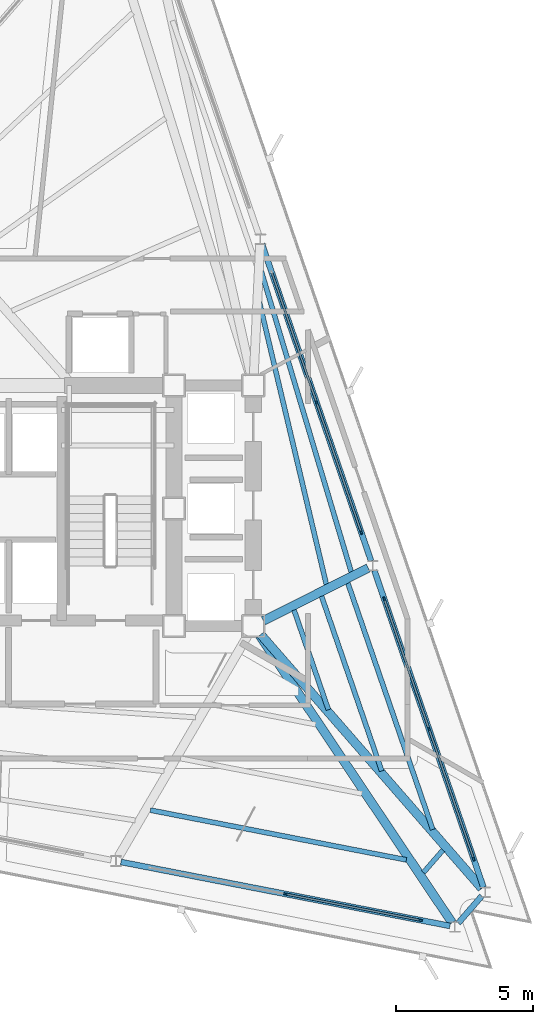
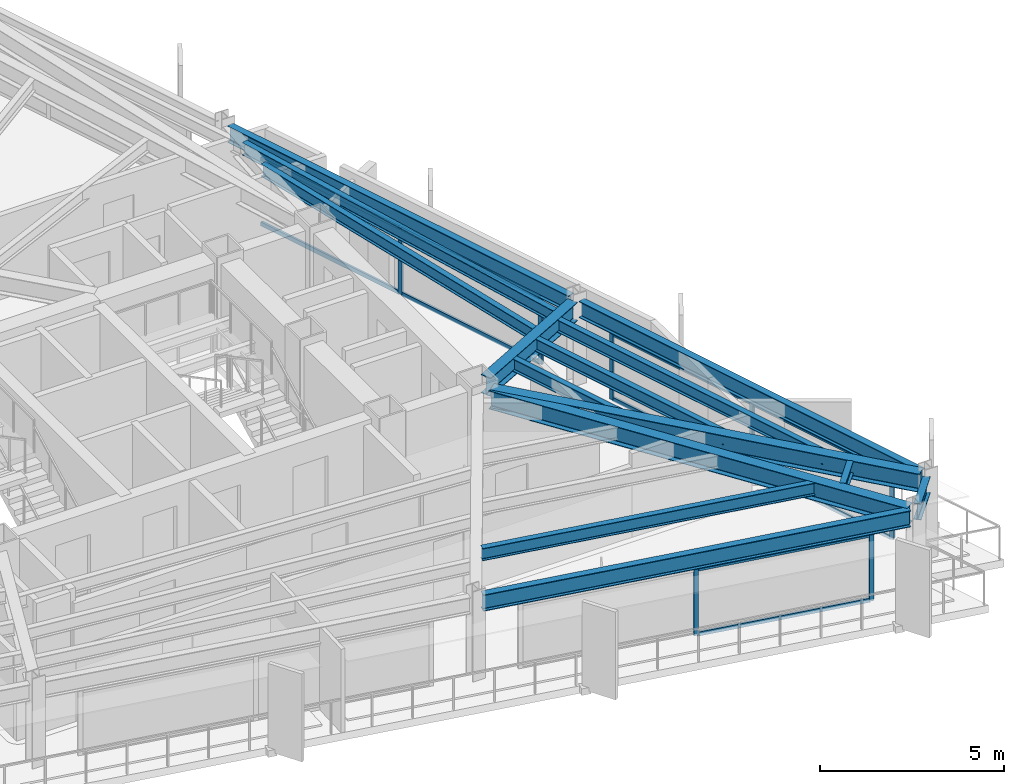
# One storey, part 6 of 13: 17 members, 14 beams, 3 elements without a shape of their own.
"""IFC4 building model written with IfcOpenShell, lengths in metres."""

from ifc_helpers import new_model, si_unit, direction, frame, origin, origin_2d, place, context, subcontext, project, spatial, rectangle, i_section, extrude, material, layer, layer_set, material_profile, profile_set, type_object, element, aggregate, save


model = new_model("IFC4")

# Units and contexts
model_context = context("Model", 3, precision=1e-05, world=origin(), true_north=direction((0.0, 1.0)))
body_context = subcontext(model_context, "Body", "Model", "MODEL_VIEW")
ifc_project = project(units=[si_unit("LENGTHUNIT", "METRE"), si_unit("AREAUNIT", "SQUARE_METRE"), si_unit("VOLUMEUNIT", "CUBIC_METRE"), si_unit("PLANEANGLEUNIT", "RADIAN"), si_unit("MASSUNIT", "GRAM", prefix="KILO")], contexts=[model_context])

# Site, building, storey
site_placement = place(None, origin())
site = spatial("IfcSite", under=ifc_project, at=site_placement, CompositionType="ELEMENT")
building_placement = place(site_placement, origin())
building = spatial("IfcBuilding", under=site, at=building_placement, Name="Rocaltana Carrier Exchange", CompositionType="ELEMENT")
storey_placement = place(building_placement, frame((0.0, 0.0, 165.43994140625)))
storey = spatial("IfcBuildingStorey", under=building, at=storey_placement, Name="L52", CompositionType="ELEMENT", Elevation=165.43994140625)

# Curtain wall, members
ifc_material_1 = material(Name="Aluminium 6063-T6", Category="aluminium")
ifc_layer = layer(ifc_material_1, 0.135009765625)
ifc_layer_set = layer_set([ifc_layer], Name="Aluminium 6063-T6")
curtain_wall_type = type_object("IfcCurtainWallType", Name="Upper-Mid Acoustic Curtain Wall CW-04", PredefinedType="NOTDEFINED", material=ifc_layer_set)
curtain_wall_1_placement = place(storey_placement, origin())
curtain_wall_1 = element("IfcCurtainWall", 1, at=curtain_wall_1_placement, inside=storey, type_object=curtain_wall_type, Name="L52 CW-04 Run CW-L52-F1S1", PredefinedType="NOTDEFINED")
ifc_material_2 = material(Name="Aluminium 6063-T6", Category="aluminium")
ifc_material_profile_1 = material_profile(ifc_material_2, rectangle(XDim=0.06494140625, YDim=0.135009765625, at=origin_2d()), Name="AL-65X135")
ifc_profile_set_1 = profile_set([ifc_material_profile_1], Name="Aluminium 6063-T6")
member_type_1 = type_object("IfcMemberType", Name="CW-04 Mullion AL-65X135", PredefinedType="MULLION", material=ifc_profile_set_1)
member_1_placement = place(storey_placement, frame((17.016357421875, -12.826171875, 0.0), z_axis=(0.0, 0.0, 1.0), x_axis=(-0.945521800517, -0.325558788464, 0.0)))
member_1 = element("IfcMember", 2, at=member_1_placement, type_object=member_type_1, Name="CW-04 mullion 1", PredefinedType="MULLION", context=body_context, shape_type="SweptSolid", body=[
    extrude(rectangle(XDim=0.06494140625, YDim=0.135009765625, at=origin_2d()), origin(), (0.0, 0.0, 1.0), 2.218017578125),
])
member_2_placement = place(storey_placement, frame((15.37744140625, -8.06640625, 0.0), z_axis=(0.0, 0.0, 1.0), x_axis=(-0.945521800517, -0.325558788464, 0.0)))
member_2 = element("IfcMember", 3, at=member_2_placement, type_object=member_type_1, Name="CW-04 mullion 2", PredefinedType="MULLION", context=body_context, shape_type="SweptSolid", body=[
    extrude(rectangle(XDim=0.06494140625, YDim=0.135009765625, at=origin_2d()), origin(), (0.0, 0.0, 1.0), 2.218017578125),
])
member_3_placement = place(storey_placement, frame((13.738525390625, -3.306396484375, 0.0), z_axis=(0.0, 0.0, 1.0), x_axis=(-0.945521800517, -0.325558788464, 0.0)))
member_3 = element("IfcMember", 4, at=member_3_placement, type_object=member_type_1, Name="CW-04 mullion 3", PredefinedType="MULLION", context=body_context, shape_type="SweptSolid", body=[
    extrude(rectangle(XDim=0.06494140625, YDim=0.135009765625, at=origin_2d()), origin(), (0.0, 0.0, 1.0), 2.218017578125),
])

curtain_wall_2_placement = place(storey_placement, origin())
curtain_wall_2 = element("IfcCurtainWall", 5, at=curtain_wall_2_placement, inside=storey, type_object=curtain_wall_type, Name="L52 CW-04 Run CW-L52-F1S2", PredefinedType="NOTDEFINED")
member_4_placement = place(storey_placement, frame((12.9033203125, -0.881103515625, 0.0), z_axis=(0.0, 0.0, 1.0), x_axis=(-0.945520754562, -0.32556182622, 0.0)))
member_4 = element("IfcMember", 6, at=member_4_placement, type_object=member_type_1, Name="CW-04 mullion 1", PredefinedType="MULLION", context=body_context, shape_type="SweptSolid", body=[
    extrude(rectangle(XDim=0.06494140625, YDim=0.135009765625, at=origin_2d()), origin(), (0.0, 0.0, 1.0), 2.218017578125),
])
member_5_placement = place(storey_placement, frame((11.264404296875, 3.878662109375, 0.0), z_axis=(0.0, 0.0, 1.0), x_axis=(-0.945520754562, -0.32556182622, 0.0)))
member_5 = element("IfcMember", 7, at=member_5_placement, type_object=member_type_1, Name="CW-04 mullion 2", PredefinedType="MULLION", context=body_context, shape_type="SweptSolid", body=[
    extrude(rectangle(XDim=0.06494140625, YDim=0.135009765625, at=origin_2d()), origin(), (0.0, 0.0, 1.0), 2.218017578125),
])

curtain_wall_3_placement = place(storey_placement, origin())
curtain_wall_3 = element("IfcCurtainWall", 8, at=curtain_wall_3_placement, inside=storey, type_object=curtain_wall_type, Name="L52 CW-04 Run CW-L52-F3S3", PredefinedType="NOTDEFINED")
member_6_placement = place(storey_placement, frame((10.1279296875, -14.105224609375, 0.0), z_axis=(0.0, 0.0, 1.0), x_axis=(0.190805209699, 0.981627919301, 0.0)))
member_6 = element("IfcMember", 9, at=member_6_placement, type_object=member_type_1, Name="CW-04 mullion 2", PredefinedType="MULLION", context=body_context, shape_type="SweptSolid", body=[
    extrude(rectangle(XDim=0.06494140625, YDim=0.135009765625, at=origin_2d()), origin(), (0.0, 0.0, 1.0), 2.218017578125),
])
member_7_placement = place(storey_placement, frame((15.069580078125, -15.06591796875, 0.0), z_axis=(0.0, 0.0, 1.0), x_axis=(0.190805209699, 0.981627919301, 0.0)))
member_7 = element("IfcMember", 10, at=member_7_placement, type_object=member_type_1, Name="CW-04 mullion 3", PredefinedType="MULLION", context=body_context, shape_type="SweptSolid", body=[
    extrude(rectangle(XDim=0.06494140625, YDim=0.135009765625, at=origin_2d()), origin(), (0.0, 0.0, 1.0), 2.218017578125),
])

# Member
ifc_material_3 = material(Name="Aluminium 6063-T6", Category="aluminium")
ifc_material_profile_2 = material_profile(ifc_material_3, rectangle(XDim=0.06494140625, YDim=0.135009765625, at=origin_2d()), Name="AL-65X135")
ifc_profile_set_2 = profile_set([ifc_material_profile_2], Name="Aluminium 6063-T6")
member_type_2 = type_object("IfcMemberType", Name="CW-04 Transom AL-65X135", PredefinedType="USERDEFINED", material=ifc_profile_set_2)
member_8_placement = place(storey_placement, frame((17.005859375, -12.795654296875, 0.032470703125), z_axis=(-0.325542462737, 0.945527421578, 0.0), x_axis=(-0.945527421578, -0.325542462737, 0.0)))
member_8 = element("IfcMember", 11, at=member_8_placement, type_object=member_type_2, Name="CW-04 transom 1.1", ObjectType="TRANSOM", PredefinedType="USERDEFINED", context=body_context, shape_type="SweptSolid", body=[
    extrude(rectangle(XDim=0.06494140625, YDim=0.135009765625, at=origin_2d()), origin(), (0.0, 0.0, 1.0), 4.96923828125),
])

member_9_placement = place(storey_placement, frame((17.005859375, -12.795654296875, 2.185546875), z_axis=(-0.325542462737, 0.945527421578, 0.0), x_axis=(-0.945527421578, -0.325542462737, 0.0)))
member_9 = element("IfcMember", 12, at=member_9_placement, type_object=member_type_2, Name="CW-04 transom 1.2", ObjectType="TRANSOM", PredefinedType="USERDEFINED", context=body_context, shape_type="SweptSolid", body=[
    extrude(rectangle(XDim=0.06494140625, YDim=0.135009765625, at=origin_2d()), origin(), (0.0, 0.0, 1.0), 4.96923828125),
])

member_10_placement = place(storey_placement, frame((15.366943359375, -8.03564453125, 0.032470703125), z_axis=(-0.325542462737, 0.945527421578, 0.0), x_axis=(-0.945527421578, -0.325542462737, 0.0)))
member_10 = element("IfcMember", 13, at=member_10_placement, type_object=member_type_2, Name="CW-04 transom 2.1", ObjectType="TRANSOM", PredefinedType="USERDEFINED", context=body_context, shape_type="SweptSolid", body=[
    extrude(rectangle(XDim=0.06494140625, YDim=0.135009765625, at=origin_2d()), origin(), (0.0, 0.0, 1.0), 4.96923828125),
])

member_11_placement = place(storey_placement, frame((15.366943359375, -8.03564453125, 2.185546875), z_axis=(-0.325542462737, 0.945527421578, 0.0), x_axis=(-0.945527421578, -0.325542462737, 0.0)))
member_11 = element("IfcMember", 14, at=member_11_placement, type_object=member_type_2, Name="CW-04 transom 2.2", ObjectType="TRANSOM", PredefinedType="USERDEFINED", context=body_context, shape_type="SweptSolid", body=[
    extrude(rectangle(XDim=0.06494140625, YDim=0.135009765625, at=origin_2d()), origin(), (0.0, 0.0, 1.0), 4.96923828125),
])

aggregate(curtain_wall_1, [member_1, member_2, member_3, member_8, member_9, member_10, member_11])

member_12_placement = place(storey_placement, frame((12.892822265625, -0.850341796875, 0.032470703125), z_axis=(-0.325557586399, 0.945522214407, 0.0), x_axis=(-0.945522214407, -0.325557586399, 0.0)))
member_12 = element("IfcMember", 15, at=member_12_placement, type_object=member_type_2, Name="CW-04 transom 1.1", ObjectType="TRANSOM", PredefinedType="USERDEFINED", context=body_context, shape_type="SweptSolid", body=[
    extrude(rectangle(XDim=0.06494140625, YDim=0.135009765625, at=origin_2d()), origin(), (0.0, 0.0, 1.0), 4.968994140625),
])

member_13_placement = place(storey_placement, frame((12.892822265625, -0.850341796875, 2.185546875), z_axis=(-0.325557586399, 0.945522214407, 0.0), x_axis=(-0.945522214407, -0.325557586399, 0.0)))
member_13 = element("IfcMember", 16, at=member_13_placement, type_object=member_type_2, Name="CW-04 transom 1.2", ObjectType="TRANSOM", PredefinedType="USERDEFINED", context=body_context, shape_type="SweptSolid", body=[
    extrude(rectangle(XDim=0.06494140625, YDim=0.135009765625, at=origin_2d()), origin(), (0.0, 0.0, 1.0), 4.968994140625),
])

member_14_placement = place(storey_placement, frame((11.25390625, 3.909423828125, 0.032470703125), z_axis=(-0.325542462737, 0.945527421578, 0.0), x_axis=(-0.945527421578, -0.325542462737, 0.0)))
member_14 = element("IfcMember", 17, at=member_14_placement, type_object=member_type_2, Name="CW-04 transom 2.1", ObjectType="TRANSOM", PredefinedType="USERDEFINED", context=body_context, shape_type="SweptSolid", body=[
    extrude(rectangle(XDim=0.06494140625, YDim=0.135009765625, at=origin_2d()), origin(), (0.0, 0.0, 1.0), 4.96923828125),
])

member_15_placement = place(storey_placement, frame((11.25390625, 3.909423828125, 2.185546875), z_axis=(-0.325542462737, 0.945527421578, 0.0), x_axis=(-0.945527421578, -0.325542462737, 0.0)))
member_15 = element("IfcMember", 18, at=member_15_placement, type_object=member_type_2, Name="CW-04 transom 2.2", ObjectType="TRANSOM", PredefinedType="USERDEFINED", context=body_context, shape_type="SweptSolid", body=[
    extrude(rectangle(XDim=0.06494140625, YDim=0.135009765625, at=origin_2d()), origin(), (0.0, 0.0, 1.0), 4.96923828125),
])

aggregate(curtain_wall_2, [member_4, member_5, member_12, member_13, member_14, member_15])

member_16_placement = place(storey_placement, frame((10.159912109375, -14.111572265625, 0.032470703125), z_axis=(0.981633795462, -0.190774976365, 0.0), x_axis=(0.190774976365, 0.981633795462, 0.0)))
member_16 = element("IfcMember", 19, at=member_16_placement, type_object=member_type_2, Name="CW-04 transom 2.1", ObjectType="TRANSOM", PredefinedType="USERDEFINED", context=body_context, shape_type="SweptSolid", body=[
    extrude(rectangle(XDim=0.06494140625, YDim=0.135009765625, at=origin_2d()), origin(), (0.0, 0.0, 1.0), 4.96923828125),
])

member_17_placement = place(storey_placement, frame((10.159912109375, -14.111572265625, 2.185546875), z_axis=(0.981633795462, -0.190774976365, 0.0), x_axis=(0.190774976365, 0.981633795462, 0.0)))
member_17 = element("IfcMember", 20, at=member_17_placement, type_object=member_type_2, Name="CW-04 transom 2.2", ObjectType="TRANSOM", PredefinedType="USERDEFINED", context=body_context, shape_type="SweptSolid", body=[
    extrude(rectangle(XDim=0.06494140625, YDim=0.135009765625, at=origin_2d()), origin(), (0.0, 0.0, 1.0), 4.96923828125),
])

aggregate(curtain_wall_3, [member_6, member_7, member_16, member_17])

# Beams
ifc_material_4 = material(Name="Steel S355", Category="steel")
ifc_material_profile_3 = material_profile(ifc_material_4, i_section(OverallWidth=0.179931640625, OverallDepth=0.4130859375, WebThickness=0.009765625, FlangeThickness=0.01611328125, FilletRadius=0.012939453125, at=origin_2d()), Name="W16X50")
ifc_profile_set_3 = profile_set([ifc_material_profile_3], Name="Steel S355")
beam_type_1 = type_object("IfcBeamType", Name="Floor Joist W16X50", PredefinedType="JOIST", material=ifc_profile_set_3)
beam_1_placement = place(storey_placement, frame((11.698974609375, -7.3662109375, 2.58154296875), z_axis=(-0.325612206056, 0.94550340627, 0.0), x_axis=(-0.94550340627, -0.325612206056, 0.0)))
element("IfcBeam", 21, at=beam_1_placement, inside=storey, type_object=beam_type_1, Name="FJ-L52-01-1", PredefinedType="JOIST", context=body_context, shape_type="SweptSolid", body=[
    extrude(i_section(OverallWidth=0.179931640625, OverallDepth=0.4130859375, WebThickness=0.009765625, FlangeThickness=0.01611328125, FilletRadius=0.012939453125, at=origin_2d()), origin(), (0.0, 0.0, 1.0), 3.85693359375),
])
beam_2_placement = place(storey_placement, frame((13.650390625, -9.606201171875, 2.58154296875), z_axis=(-0.325591245861, 0.945510624276, 0.0), x_axis=(-0.945510624276, -0.325591245861, 0.0)))
element("IfcBeam", 22, at=beam_2_placement, inside=storey, type_object=beam_type_1, Name="FJ-L52-01-2", PredefinedType="JOIST", context=body_context, shape_type="SweptSolid", body=[
    extrude(i_section(OverallWidth=0.179931640625, OverallDepth=0.4130859375, WebThickness=0.009765625, FlangeThickness=0.01611328125, FilletRadius=0.012939453125, at=origin_2d()), origin(), (0.0, 0.0, 1.0), 6.7626953125),
])
beam_3_placement = place(storey_placement, frame((15.5166015625, -11.748779296875, 2.58154296875), z_axis=(-0.325561689651, 0.945520801586, 0.0), x_axis=(-0.945520801586, -0.325561689651, 0.0)))
element("IfcBeam", 23, at=beam_3_placement, inside=storey, type_object=beam_type_1, Name="FJ-L52-01-3", PredefinedType="JOIST", context=body_context, shape_type="SweptSolid", body=[
    extrude(i_section(OverallWidth=0.179931640625, OverallDepth=0.4130859375, WebThickness=0.009765625, FlangeThickness=0.01611328125, FilletRadius=0.012939453125, at=origin_2d()), origin(), (0.0, 0.0, 1.0), 9.541748046875),
])
beam_4_placement = place(storey_placement, frame((11.6240234375, -2.780517578125, 2.58154296875), z_axis=(-0.230805777183, 0.972999842353, 0.0), x_axis=(-0.972999842353, -0.230805777183, 0.0)))
element("IfcBeam", 24, at=beam_4_placement, inside=storey, type_object=beam_type_1, Name="FJ-L52-02-2", PredefinedType="JOIST", context=body_context, shape_type="SweptSolid", body=[
    extrude(i_section(OverallWidth=0.179931640625, OverallDepth=0.4130859375, WebThickness=0.009765625, FlangeThickness=0.01611328125, FilletRadius=0.012939453125, at=origin_2d()), origin(), (0.0, 0.0, 1.0), 10.736328125),
])
beam_5_placement = place(storey_placement, frame((12.533203125, -2.3193359375, 2.58154296875), z_axis=(-0.286621662233, 0.9580438522, 0.0), x_axis=(-0.9580438522, -0.286621662233, 0.0)))
element("IfcBeam", 25, at=beam_5_placement, inside=storey, type_object=beam_type_1, Name="FJ-L52-02-3", PredefinedType="JOIST", context=body_context, shape_type="SweptSolid", body=[
    extrude(i_section(OverallWidth=0.179931640625, OverallDepth=0.4130859375, WebThickness=0.009765625, FlangeThickness=0.01611328125, FilletRadius=0.012939453125, at=origin_2d()), origin(), (0.0, 0.0, 1.0), 11.597900390625),
])
beam_6_placement = place(storey_placement, frame((5.185546875, -11.037841796875, 2.58154296875), z_axis=(0.981630034489, -0.190794327456, 0.0), x_axis=(0.190794327456, 0.981630034489, 0.0)))
element("IfcBeam", 26, at=beam_6_placement, inside=storey, type_object=beam_type_1, Name="FJ-L52-11-3", PredefinedType="JOIST", context=body_context, shape_type="SweptSolid", body=[
    extrude(i_section(OverallWidth=0.179931640625, OverallDepth=0.4130859375, WebThickness=0.009765625, FlangeThickness=0.01611328125, FilletRadius=0.012939453125, at=origin_2d()), origin(), (0.0, 0.0, 1.0), 9.5419921875),
])
beam_7_placement = place(storey_placement, frame((15.176513671875, -13.321044921875, 2.58154296875), z_axis=(0.65606745581, 0.754702254817, 0.0), x_axis=(-0.754702254817, 0.65606745581, 0.0)))
element("IfcBeam", 27, at=beam_7_placement, inside=storey, type_object=beam_type_1, Name="FJ-L52-12-3", PredefinedType="JOIST", context=body_context, shape_type="SweptSolid", body=[
    extrude(i_section(OverallWidth=0.179931640625, OverallDepth=0.4130859375, WebThickness=0.009765625, FlangeThickness=0.01611328125, FilletRadius=0.012939453125, at=origin_2d()), origin(), (0.0, 0.0, 1.0), 1.086669921875),
])
ifc_material_5 = material(Name="Steel S355", Category="steel")
ifc_material_profile_4 = material_profile(ifc_material_5, i_section(OverallWidth=0.323974609375, OverallDepth=0.611083984375, WebThickness=0.0126953125, FlangeThickness=0.01904296875, FilletRadius=0.01611328125, at=origin_2d()), Name="W24X104")
ifc_profile_set_4 = profile_set([ifc_material_profile_4], Name="Steel S355")
beam_type_2 = type_object("IfcBeamType", Name="Radial Girder W24X104", PredefinedType="BEAM", material=ifc_profile_set_4)
beam_8_placement = place(storey_placement, frame((9.223876953125, -4.614501953125, 2.482666015625), z_axis=(0.656870571987, -0.754003349898, 0.0), x_axis=(0.754003349898, 0.656870571987, 0.0)))
element("IfcBeam", 28, at=beam_8_placement, inside=storey, type_object=beam_type_2, Name="RG-L52-01", PredefinedType="BEAM", context=body_context, shape_type="SweptSolid", body=[
    extrude(i_section(OverallWidth=0.323974609375, OverallDepth=0.611083984375, WebThickness=0.0126953125, FlangeThickness=0.01904296875, FilletRadius=0.01611328125, at=origin_2d()), origin(), (0.0, 0.0, 1.0), 12.3134765625),
])
beam_9_placement = place(storey_placement, frame((9.322265625, -4.112060546875, 2.482666015625), z_axis=(0.892749276304, 0.450553803289, 0.0), x_axis=(-0.450553803289, 0.892749276304, 0.0)))
element("IfcBeam", 29, at=beam_9_placement, inside=storey, type_object=beam_type_2, Name="RG-L52-02", PredefinedType="BEAM", context=body_context, shape_type="SweptSolid", body=[
    extrude(i_section(OverallWidth=0.323974609375, OverallDepth=0.611083984375, WebThickness=0.0126953125, FlangeThickness=0.01904296875, FilletRadius=0.01611328125, at=origin_2d()), origin(), (0.0, 0.0, 1.0), 4.293701171875),
])
beam_10_placement = place(storey_placement, frame((9.18212890625, -4.646484375, 2.482666015625), z_axis=(0.556698056757, -0.830714917166, 0.0), x_axis=(0.830714917166, 0.556698056757, 0.0)))
element("IfcBeam", 30, at=beam_10_placement, inside=storey, type_object=beam_type_2, Name="RG-L52-12", PredefinedType="BEAM", context=body_context, shape_type="SweptSolid", body=[
    extrude(i_section(OverallWidth=0.323974609375, OverallDepth=0.611083984375, WebThickness=0.0126953125, FlangeThickness=0.01904296875, FilletRadius=0.01611328125, at=origin_2d()), origin(), (0.0, 0.0, 1.0), 12.65185546875),
])
ifc_material_6 = material(Name="Steel S355", Category="steel")
ifc_material_profile_5 = material_profile(ifc_material_6, i_section(OverallWidth=0.2119140625, OverallDepth=0.5439453125, WebThickness=0.01318359375, FlangeThickness=0.021240234375, FilletRadius=0.014892578125, at=origin_2d()), Name="W21X83")
ifc_profile_set_5 = profile_set([ifc_material_profile_5], Name="Steel S355")
beam_type_3 = type_object("IfcBeamType", Name="Spandrel Edge Beam W21X83", PredefinedType="SPANDREL", material=ifc_profile_set_5)
for number, where, z_axis, x_axis, name in (
    (31, (17.37353515625, -13.863525390625, 2.51611328125), (-0.325566047792, 0.94551930098, 0.0), (-0.94551930098, -0.325566047792, 0.0), "SP-L52-01"),
    (32, (13.260498046875, -1.91845703125, 2.51611328125), (-0.325566047792, 0.94551930098, 0.0), (-0.94551930098, -0.325566047792, 0.0), "SP-L52-02"),
    (33, (4.109619140625, -12.935302734375, 2.51611328125), (0.981625439555, -0.19081796671, 0.0), (0.19081796671, 0.981625439555, 0.0), "SP-L52-11"),
):
    element("IfcBeam", number, at=place(storey_placement, frame(where, z_axis=z_axis, x_axis=x_axis)), inside=storey, type_object=beam_type_3, Name=name, PredefinedType="SPANDREL", context=body_context, shape_type="SweptSolid", body=[
        extrude(i_section(OverallWidth=0.2119140625, OverallDepth=0.5439453125, WebThickness=0.01318359375, FlangeThickness=0.021240234375, FilletRadius=0.014892578125, at=origin_2d()), origin(), (0.0, 0.0, 1.0), 12.26220703125),
    ])
beam_11_placement = place(storey_placement, frame((16.4501953125, -15.17041015625, 2.51611328125), z_axis=(0.656146510071, 0.754633525177, 0.0), x_axis=(-0.754633525177, 0.656146510071, 0.0)))
element("IfcBeam", 34, at=beam_11_placement, inside=storey, type_object=beam_type_3, Name="SP-L52-12", PredefinedType="SPANDREL", context=body_context, shape_type="SweptSolid", body=[
    extrude(i_section(OverallWidth=0.2119140625, OverallDepth=0.5439453125, WebThickness=0.01318359375, FlangeThickness=0.021240234375, FilletRadius=0.014892578125, at=origin_2d()), origin(), (0.0, 0.0, 1.0), 1.313720703125),
])

save(model, "model.ifc")
